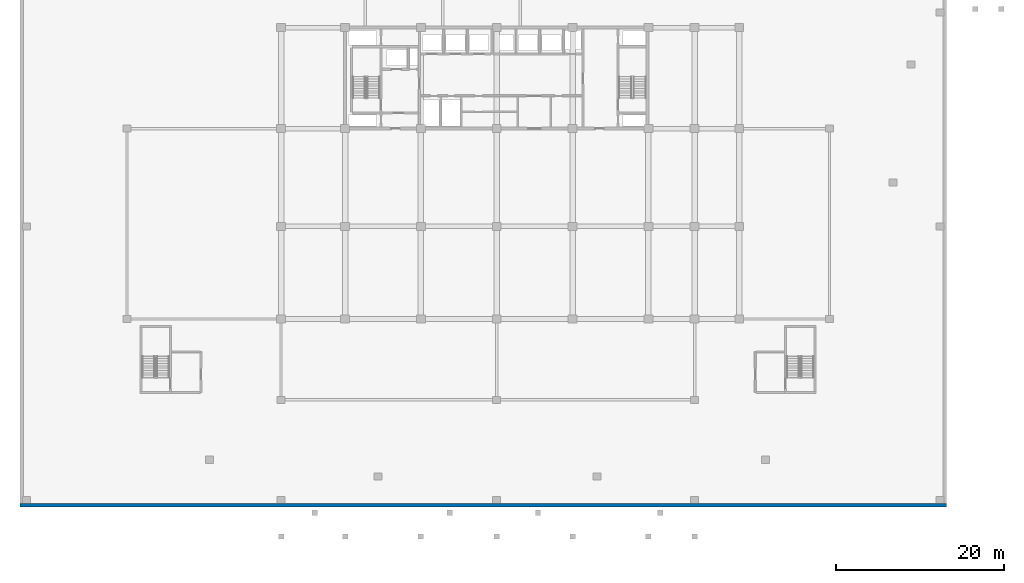
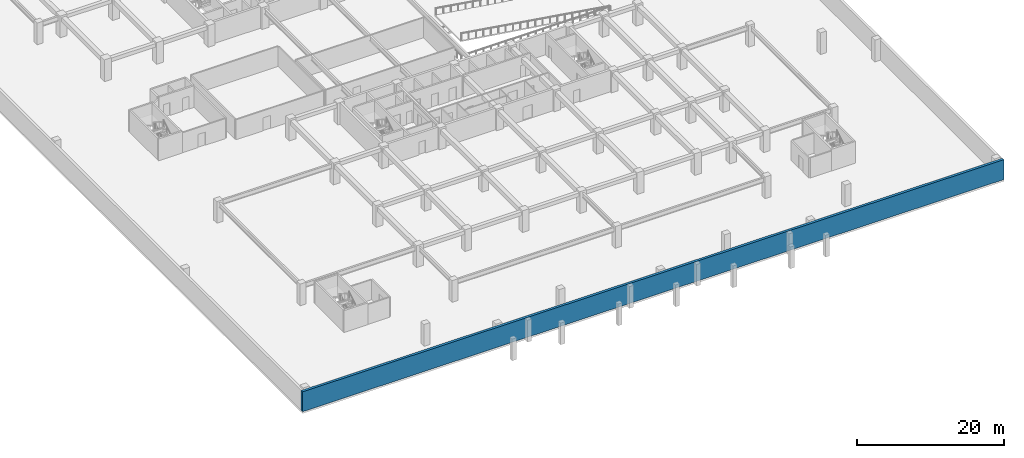
# One storey, part 5 of 22: 1 wall.
"""IFC4 building model written with IfcOpenShell, lengths in metres."""

from ifc_helpers import new_model, si_unit, direction, frame, frame_2d, origin, place, context, subcontext, project, spatial, rectangle, extrude, material, layer, layer_set, type_object, element, save


model = new_model("IFC4")

# Units and contexts
model_context = context("Model", 3, precision=1e-05, world=origin(), true_north=direction((0.0, 1.0)))
body_context = subcontext(model_context, "Body", "Model", "MODEL_VIEW")
ifc_project = project(units=[si_unit("LENGTHUNIT", "METRE"), si_unit("AREAUNIT", "SQUARE_METRE"), si_unit("VOLUMEUNIT", "CUBIC_METRE"), si_unit("PLANEANGLEUNIT", "RADIAN"), si_unit("MASSUNIT", "GRAM", prefix="KILO")], contexts=[model_context])

# Site, building, storey
site_placement = place(None, origin())
site = spatial("IfcSite", under=ifc_project, at=site_placement, CompositionType="ELEMENT")
building_placement = place(site_placement, origin())
building = spatial("IfcBuilding", under=site, at=building_placement, Name="Korimba Cascade Residences", CompositionType="ELEMENT")
storey_placement = place(building_placement, frame((0.0, 0.0, -7.199951171875)))
storey = spatial("IfcBuildingStorey", under=building, at=storey_placement, Name="B02", CompositionType="ELEMENT", Elevation=-7.199951171875)

# Wall
ifc_material = material(Name="Concrete C50/60", Category="concrete")
ifc_layer = layer(ifc_material, 0.39990234375)
ifc_layer_set = layer_set([ifc_layer], Name="Concrete C50/60")
wall_type = type_object("IfcWallType", Name="EW-RET-400", PredefinedType="USERDEFINED", material=ifc_layer_set)
wall_placement = place(storey_placement, frame((43.5, -26.300048828125, 0.0), z_axis=(0.0, 0.0, 1.0), x_axis=(1.0, 0.0, 0.0)))
element("IfcWall", 1, at=wall_placement, inside=storey, type_object=wall_type, Name="B02 Basement Retaining Wall S", ObjectType="RETAININGWALL", PredefinedType="USERDEFINED", context=body_context, shape_type="SweptSolid", body=[
    extrude(rectangle(XDim=110.0, YDim=0.39990234375, at=frame_2d((55.0, 0.0))), origin(), (0.0, 0.0, 1.0), 3.300048828125),
])

save(model, "model.ifc")
